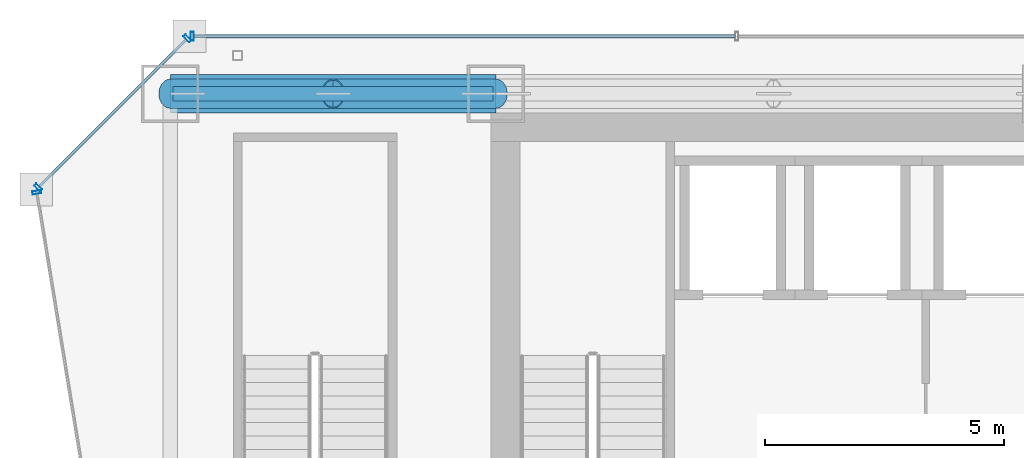
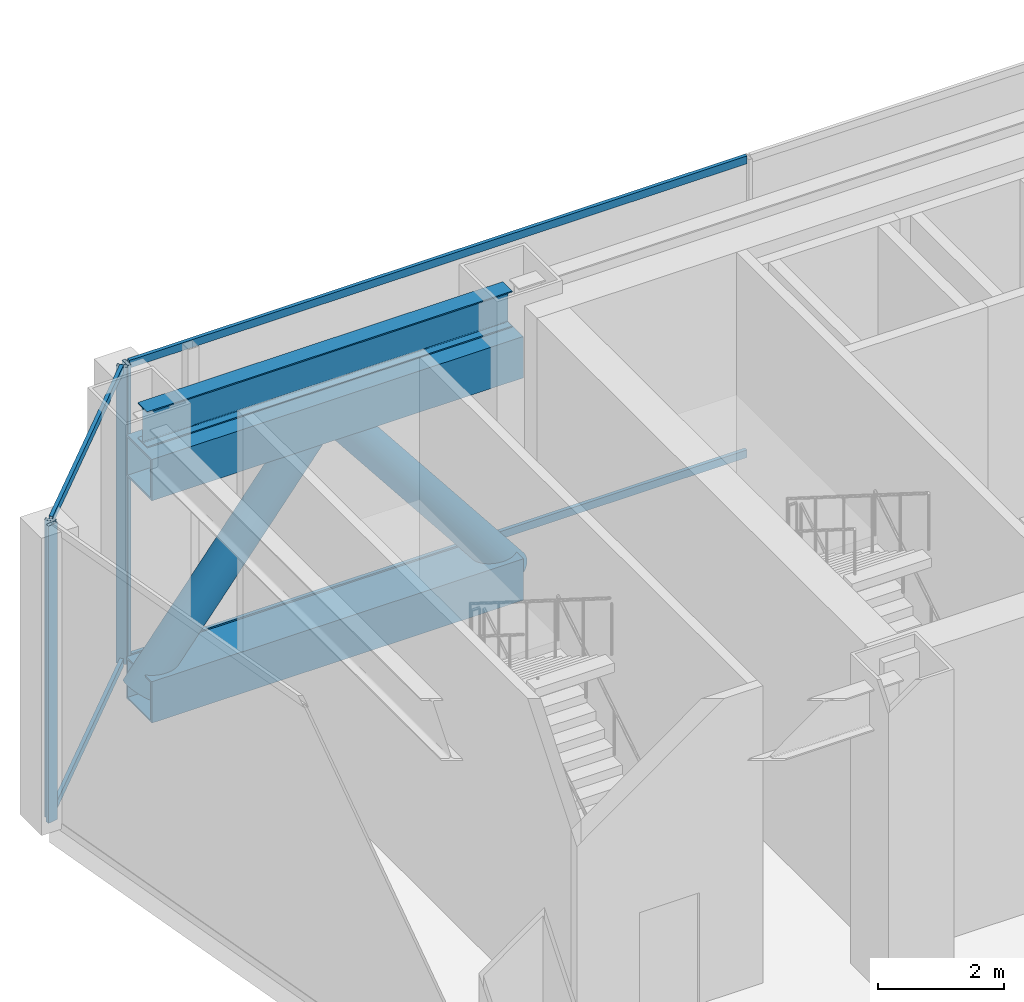
# One storey, part 20 of 35: 12 members, 1 beam, 3 elements without a shape of their own.
"""IFC4 building model written with IfcOpenShell, lengths in metres."""

import ifcopenshell
import ifcopenshell.guid

model = None  # the IFC model being written
_history = None  # IfcOwnerHistory: only IFC2X3 demands one
_inside = {}  # id of a spatial element -> (the spatial element, [elements in it])
_under = {}  # id of a project, library or spatial element -> (it, [spatial elements below it])
_declared = {}  # id of a project -> (the project, [libraries it declares])
_typed = {}  # id of a type object -> (the type object, [elements of that type])
_made_of = {}  # id of a material, layer set ... -> (it, [elements and type objects made of it])


def new_model(schema):
    """Start an empty IFC model of exactly this schema.

    Asked for "IFC4X3", IfcOpenShell would pick the latest addendum, in which some entities
    have other attributes; the version numbers below select the first issue.
    IFC2X3 requires an IfcOwnerHistory on every rooted entity: one is made here for all.
    """
    global model, _history
    if schema == "IFC4X3":
        model = ifcopenshell.file(schema_version=(4, 3, 0, 0))
    else:
        model = ifcopenshell.file(schema=schema)
    _inside.clear()
    _under.clear()
    _declared.clear()
    _typed.clear()
    _made_of.clear()
    _history = None
    if model.schema == "IFC2X3":
        org = make("IfcOrganization", Name="unknown")
        user = make(
            "IfcPersonAndOrganization",
            ThePerson=make("IfcPerson", FamilyName="unknown"),
            TheOrganization=org,
        )
        app = make(
            "IfcApplication",
            ApplicationDeveloper=org,
            Version="unknown",
            ApplicationFullName="unknown",
            ApplicationIdentifier="unknown",
        )
        _history = make(
            "IfcOwnerHistory",
            OwningUser=user,
            OwningApplication=app,
            ChangeAction="ADDED",
            CreationDate=0,
        )
    return model


def make(cls, **values):
    """One entity of the class cls with the attributes given. An attribute that is None is left unset."""
    return model.create_entity(
        cls, **{name: value for name, value in values.items() if value is not None}
    )


def rooted(cls, **values):
    """An entity with a GlobalId (a new one), such as an element, a storey or a relation."""
    return make(cls, GlobalId=ifcopenshell.guid.new(), OwnerHistory=_history, **values)


def si_unit(unit_type, name, prefix=None):
    """IfcSIUnit, for example si_unit("LENGTHUNIT", "METRE", prefix="MILLI")."""
    return make("IfcSIUnit", UnitType=unit_type, Prefix=prefix, Name=name)


def assignment(units):
    """IfcUnitAssignment: the units of a project."""
    return None if units is None else make("IfcUnitAssignment", Units=units)


def point(xyz):
    """IfcCartesianPoint."""
    return None if xyz is None else make("IfcCartesianPoint", Coordinates=xyz)


def direction(xyz):
    """IfcDirection."""
    return None if xyz is None else make("IfcDirection", DirectionRatios=xyz)


def frame(location, z_axis=None, x_axis=None):
    """IfcAxis2Placement3D, a coordinate frame: its origin and axes. An axis left out is left unset."""
    return make(
        "IfcAxis2Placement3D",
        Location=point(location),
        Axis=direction(z_axis),
        RefDirection=direction(x_axis),
    )


def frame_2d(location, x_axis=None):
    """IfcAxis2Placement2D, a coordinate frame in the plane: its origin and x axis."""
    return make(
        "IfcAxis2Placement2D", Location=point(location), RefDirection=direction(x_axis)
    )


def origin():
    """The frame at (0, 0, 0) with its axes left unset."""
    return frame((0.0, 0.0, 0.0))


def origin_2d():
    """The frame at (0, 0) in the plane with its x axis left unset."""
    return frame_2d((0.0, 0.0))


def place(relative_to, where):
    """IfcLocalPlacement: puts the frame where relative to a parent placement (None: the world)."""
    return make(
        "IfcLocalPlacement", PlacementRelTo=relative_to, RelativePlacement=where
    )


def context(
    kind, dimensions, precision=None, world=None, true_north=None, identifier=None
):
    """IfcGeometricRepresentationContext, for example the 3D "Model" context."""
    return make(
        "IfcGeometricRepresentationContext",
        ContextIdentifier=identifier,
        ContextType=kind,
        CoordinateSpaceDimension=dimensions,
        Precision=precision,
        WorldCoordinateSystem=world,
        TrueNorth=true_north,
    )


def subcontext(parent, identifier, kind, view, scale=None):
    """IfcGeometricRepresentationSubContext, for example "Body" below "Model"."""
    return make(
        "IfcGeometricRepresentationSubContext",
        ContextIdentifier=identifier,
        ContextType=kind,
        ParentContext=parent,
        TargetScale=scale,
        TargetView=view,
    )


def project(units=None, contexts=None):
    """IfcProject with its units and contexts."""
    return rooted(
        "IfcProject",
        Name="project",
        RepresentationContexts=contexts,
        UnitsInContext=assignment(units),
    )


def spatial(cls, under=None, at=None, **own):
    """A site, building, storey or space (cls), placed at a placement, below another one or the project."""
    s = rooted(cls, ObjectPlacement=at, **own)
    if under is not None:
        _under.setdefault(under.id(), (under, []))[1].append(s)
    return s


def profile(cls, at=None, kind="AREA", **sizes):
    """A parametric profile (cls). Its sizes go by their IFC names, for example OverallWidth=200.0."""
    return make(cls, ProfileType=kind, Position=at, **sizes)


def hollow_rectangle(**sizes):
    """IfcRectangleHollowProfileDef."""
    return profile("IfcRectangleHollowProfileDef", **sizes)


def hollow_circle(**sizes):
    """IfcCircleHollowProfileDef."""
    return profile("IfcCircleHollowProfileDef", **sizes)


def i_section(**sizes):
    """IfcIShapeProfileDef."""
    return profile("IfcIShapeProfileDef", **sizes)


def extrude(swept, where, along, depth):
    """IfcExtrudedAreaSolid: the profile swept, set in the frame where, extruded along a direction by depth."""
    return make(
        "IfcExtrudedAreaSolid",
        SweptArea=swept,
        Position=where,
        ExtrudedDirection=direction(along),
        Depth=depth,
    )


def shape(context_of_items, identifier, shape_type, items):
    """IfcShapeRepresentation: the items that make up one representation, for example the "Body"."""
    return make(
        "IfcShapeRepresentation",
        ContextOfItems=context_of_items,
        RepresentationIdentifier=identifier,
        RepresentationType=shape_type,
        Items=items,
    )


def material(Name=None, Category=None):
    """IfcMaterial."""
    return make("IfcMaterial", Name=Name, Category=Category)


def material_profile(
    of_material, cross_section, Name=None, Category=None, Priority=None
):
    """IfcMaterialProfile: a cross section and its material."""
    return make(
        "IfcMaterialProfile",
        Name=Name,
        Material=of_material,
        Profile=cross_section,
        Priority=Priority,
        Category=Category,
    )


def profile_set(profiles, Name=None, composite=None):
    """IfcMaterialProfileSet."""
    return make(
        "IfcMaterialProfileSet",
        Name=Name,
        MaterialProfiles=profiles,
        CompositeProfile=composite,
    )


def made_of(thing, what):
    """Note that an element or type object is made of a material, layer set ...; save() writes the relation."""
    if what is not None:
        _made_of.setdefault(what.id(), (what, []))[1].append(thing)
    return thing


def type_object(cls, material=None, **own):
    """A type object (cls), such as IfcWallType, which elements share."""
    return made_of(rooted(cls, **own), material)


def element(
    cls,
    number,
    at=None,
    inside=None,
    cuts=None,
    type_object=None,
    material=None,
    context=None,
    identifier="Body",
    shape_type=None,
    held_by="IfcProductDefinitionShape",
    body=None,
    shapes=None,
    **own,
):
    """One element of the class cls, such as IfcWall. Its Tag is "e" and its number.

    at: its placement. inside: the storey or other place that contains it. cuts: it is an
    opening in that element (IfcRelVoidsElement). A single representation is given by context,
    identifier, shape_type and body (its items); several are given by shapes. held_by: the class
    of the entity that holds the representations. save() writes the other relations.
    """
    e = rooted(cls, Tag="e%d" % number, ObjectPlacement=at, **own)
    if body is not None:
        shapes = [shape(context, identifier, shape_type, body)]
    if shapes is not None:
        e.Representation = make(held_by, Representations=shapes)
    if inside is not None:
        _inside.setdefault(inside.id(), (inside, []))[1].append(e)
    if cuts is not None:
        rooted(
            "IfcRelVoidsElement", RelatingBuildingElement=cuts, RelatedOpeningElement=e
        )
    if type_object is not None:
        _typed.setdefault(type_object.id(), (type_object, []))[1].append(e)
    return made_of(e, material)


def aggregate(whole, parts):
    """IfcRelAggregates: a whole, such as a stair, and the parts it consists of."""
    return rooted("IfcRelAggregates", RelatingObject=whole, RelatedObjects=parts)


def save(model, path):
    """Write the relations noted so far, then the file.

    IfcRelAggregates (storeys below a building ...), IfcRelContainedInSpatialStructure (elements
    in a storey), IfcRelDefinesByType, IfcRelAssociatesMaterial and IfcRelDeclares: one each for
    every whole, place, type object, material and project.
    """
    for whole, parts in _under.values():
        aggregate(whole, parts)
    for where, things in _inside.values():
        rooted(
            "IfcRelContainedInSpatialStructure",
            RelatedElements=things,
            RelatingStructure=where,
        )
    for kind, things in _typed.values():
        rooted("IfcRelDefinesByType", RelatedObjects=things, RelatingType=kind)
    for what, things in _made_of.values():
        rooted("IfcRelAssociatesMaterial", RelatedObjects=things, RelatingMaterial=what)
    for by, libraries in _declared.values():
        rooted("IfcRelDeclares", RelatingContext=by, RelatedDefinitions=libraries)
    model.write(path)


model = new_model("IFC4")

# Units and contexts
model_context = context("Model", 3, precision=1e-05, world=origin(), true_north=direction((0.0, 1.0)))
body_context = subcontext(model_context, "Body", "Model", "MODEL_VIEW")
ifc_project = project(units=[si_unit("LENGTHUNIT", "METRE"), si_unit("AREAUNIT", "SQUARE_METRE"), si_unit("VOLUMEUNIT", "CUBIC_METRE"), si_unit("PLANEANGLEUNIT", "RADIAN"), si_unit("MASSUNIT", "GRAM", prefix="KILO")], contexts=[model_context])

# Site, building, storey
site_placement = place(None, origin())
site = spatial("IfcSite", under=ifc_project, at=site_placement, CompositionType="ELEMENT")
building_placement = place(site_placement, origin())
building = spatial("IfcBuilding", under=site, at=building_placement, Name="Saevonmaru Cultural Tower", CompositionType="ELEMENT")
storey_placement = place(building_placement, frame((0.0, 0.0, 86.800048828125)))
storey = spatial("IfcBuildingStorey", under=building, at=storey_placement, Name="L18", CompositionType="ELEMENT", Elevation=86.800048828125)

# Beam
ifc_material_1 = material(Name="Steel SM355", Category="steel")
ifc_material_profile_1 = material_profile(ifc_material_1, i_section(OverallWidth=0.300048828125, OverallDepth=0.699951171875, WebThickness=0.012939453125, FlangeThickness=0.02392578125, FilletRadius=0.02587890625, at=origin_2d()), Name="H-700x300x13x24")
ifc_profile_set_1 = profile_set([ifc_material_profile_1], Name="Steel SM355")
beam_type = type_object("IfcBeamType", Name="BM-SP-H700", PredefinedType="SPANDREL", material=ifc_profile_set_1)
beam_placement = place(storey_placement, frame((6.860107421875, 54.800048828125, 5.39990234375), z_axis=(1.0, 0.0, 0.0), x_axis=(0.0, 1.0, 0.0)))
element("IfcBeam", 1, at=beam_placement, inside=storey, type_object=beam_type, Name="L18 North Spine Girder 1", PredefinedType="SPANDREL", context=body_context, shape_type="SweptSolid", body=[
    extrude(i_section(OverallWidth=0.300048828125, OverallDepth=0.699951171875, WebThickness=0.012939453125, FlangeThickness=0.02392578125, FilletRadius=0.02587890625, at=origin_2d()), origin(), (0.0, 0.0, 1.0), 6.679931640625),
])

# Members
ifc_material_2 = material(Name="Steel HSA600 (600 MPa)", Category="steel")
ifc_material_profile_2 = material_profile(ifc_material_2, hollow_circle(Radius=0.3046875, WallThickness=0.02490234375, at=origin_2d()), Name="CHS-609.6x25")
ifc_profile_set_2 = profile_set([ifc_material_profile_2], Name="Steel HSA600 (600 MPa)")
member_type_1 = type_object("IfcMemberType", Name="MB-OBR-CHS610", PredefinedType="BRACE", material=ifc_profile_set_2)
for number, where, z_axis, x_axis, name in (
    (2, (6.800048828125, 54.800048828125, 0.300048828125), (0.62024195723, 0.0, 0.784410552257), (0.0, 1.0, 0.0), "L18 Outrigger Truss Diagonal OW2-1"),
    (3, (13.60009765625, 54.800048828125, 0.300048828125), (-0.620269360577, 0.0, 0.784388883354), (0.0, -1.0, 0.0), "L18 Outrigger Truss Diagonal OW2-2"),
):
    element("IfcMember", number, at=place(storey_placement, frame(where, z_axis=z_axis, x_axis=x_axis)), inside=storey, type_object=member_type_1, Name=name, PredefinedType="BRACE", context=body_context, shape_type="SweptSolid", body=[
        extrude(hollow_circle(Radius=0.3046875, WallThickness=0.02490234375, at=origin_2d()), origin(), (0.0, 0.0, 1.0), 5.481689453125),
    ])
ifc_material_profile_3 = material_profile(ifc_material_2, hollow_rectangle(XDim=0.800048828125, YDim=0.800048828125, WallThickness=0.035888671875, at=origin_2d()), Name="BOX-800x800x36")
ifc_profile_set_3 = profile_set([ifc_material_profile_3], Name="Steel HSA600 (600 MPa)")
member_type_2 = type_object("IfcMemberType", Name="MB-OCH-BOX800", PredefinedType="CHORD", material=ifc_profile_set_3)
for number, where, z_axis, x_axis, name in (
    (4, (6.800048828125, 54.800048828125, 0.300048828125), (1.0, 0.0, 0.0), (0.0, 1.0, 0.0), "L18 Outrigger Truss Bottom Chord OW2"),
    (5, (6.800048828125, 54.800048828125, 4.599853515625), (1.0, 0.0, 0.0), (0.0, 1.0, 0.0), "L18 Outrigger Truss Top Chord OW2"),
):
    element("IfcMember", number, at=place(storey_placement, frame(where, z_axis=z_axis, x_axis=x_axis)), inside=storey, type_object=member_type_2, Name=name, PredefinedType="CHORD", context=body_context, shape_type="SweptSolid", body=[
        extrude(hollow_rectangle(XDim=0.800048828125, YDim=0.800048828125, WallThickness=0.035888671875, at=origin_2d()), origin(), (0.0, 0.0, 1.0), 6.800048828125),
    ])

# Curtain wall, member
ifc_material_3 = material(Name="Satin Bronze Anodised Aluminium", Category="aluminium")
curtain_wall_type = type_object("IfcCurtainWallType", Name="CW-TYP-A", PredefinedType="NOTDEFINED", material=ifc_material_3)
curtain_wall_1_placement = place(storey_placement, origin())
curtain_wall_1 = element("IfcCurtainWall", 6, at=curtain_wall_1_placement, inside=storey, type_object=curtain_wall_type, Name="L18 Wind-Floor Acoustic Louvre Screen E10", PredefinedType="NOTDEFINED")
ifc_material_profile_4 = material_profile(ifc_material_3, hollow_rectangle(XDim=0.06494140625, YDim=0.179931640625, WallThickness=0.00390625, at=origin_2d()), Name="ALU-MULL-180x65x4")
ifc_profile_set_4 = profile_set([ifc_material_profile_4], Name="Satin Bronze Anodised Aluminium")
member_type_3 = type_object("IfcMemberType", Name="ML-CW-180x65", PredefinedType="MULLION", material=ifc_profile_set_4)
member_1_placement = place(storey_placement, frame((7.260009765625, 56.0, 0.0), z_axis=(0.0, 0.0, 1.0), x_axis=(-1.0, 0.0, 0.0)))
member_1 = element("IfcMember", 7, at=member_1_placement, type_object=member_type_3, Name="CW-TW-L18-E10 mullion 5", PredefinedType="MULLION", context=body_context, shape_type="SweptSolid", body=[
    extrude(hollow_rectangle(XDim=0.06494140625, YDim=0.179931640625, WallThickness=0.00390625, at=origin_2d()), origin(), (0.0, 0.0, 1.0), 5.75),
])

# Curtain wall, members
curtain_wall_2_placement = place(storey_placement, origin())
curtain_wall_2 = element("IfcCurtainWall", 8, at=curtain_wall_2_placement, inside=storey, type_object=curtain_wall_type, Name="L18 Wind-Floor Acoustic Louvre Screen E11", PredefinedType="NOTDEFINED")
member_2_placement = place(storey_placement, frame((7.15771484375, 55.95751953125, 0.0), z_axis=(0.0, 0.0, 1.0), x_axis=(-0.707106781187, -0.707106781187, 0.0)))
member_2 = element("IfcMember", 9, at=member_2_placement, type_object=member_type_3, Name="CW-TW-L18-E11 mullion 1", PredefinedType="MULLION", context=body_context, shape_type="SweptSolid", body=[
    extrude(hollow_rectangle(XDim=0.06494140625, YDim=0.179931640625, WallThickness=0.00390625, at=origin_2d()), origin(), (0.0, 0.0, 1.0), 5.75),
])
member_3_placement = place(storey_placement, frame((4.04248046875, 52.84228515625, 0.0), z_axis=(0.0, 0.0, 1.0), x_axis=(-0.707106781187, -0.707106781187, 0.0)))
member_3 = element("IfcMember", 10, at=member_3_placement, type_object=member_type_3, Name="CW-TW-L18-E11 mullion 2", PredefinedType="MULLION", context=body_context, shape_type="SweptSolid", body=[
    extrude(hollow_rectangle(XDim=0.06494140625, YDim=0.179931640625, WallThickness=0.00390625, at=origin_2d()), origin(), (0.0, 0.0, 1.0), 5.75),
])

# Curtain wall, member
curtain_wall_3_placement = place(storey_placement, origin())
curtain_wall_3 = element("IfcCurtainWall", 11, at=curtain_wall_3_placement, inside=storey, type_object=curtain_wall_type, Name="L18 Wind-Floor Acoustic Louvre Screen E12", PredefinedType="NOTDEFINED")
member_4_placement = place(storey_placement, frame((4.009765625, 52.74072265625, 0.0), z_axis=(0.0, 0.0, 1.0), x_axis=(0.161708868641, -0.986838508472, 0.0)))
member_4 = element("IfcMember", 12, at=member_4_placement, type_object=member_type_3, Name="CW-TW-L18-E12 mullion 1", PredefinedType="MULLION", context=body_context, shape_type="SweptSolid", body=[
    extrude(hollow_rectangle(XDim=0.06494140625, YDim=0.179931640625, WallThickness=0.00390625, at=origin_2d()), origin(), (0.0, 0.0, 1.0), 5.75),
])
aggregate(curtain_wall_3, [member_4])

# Member
ifc_material_profile_5 = material_profile(ifc_material_3, hollow_rectangle(XDim=0.06494140625, YDim=0.14990234375, WallThickness=0.00390625, at=origin_2d()), Name="ALU-TRAN-150x65x4")
ifc_profile_set_5 = profile_set([ifc_material_profile_5], Name="Satin Bronze Anodised Aluminium")
member_type_4 = type_object("IfcMemberType", Name="TR-CW-150x65", PredefinedType="USERDEFINED", material=ifc_profile_set_5)
member_5_placement = place(storey_placement, frame((18.597412109375, 56.0, 0.032470703125), z_axis=(-1.0, 0.0, 0.0), x_axis=(0.0, -1.0, 0.0)))
member_5 = element("IfcMember", 13, at=member_5_placement, type_object=member_type_4, Name="CW-TW-L18-E10 transom 4.1", ObjectType="TRANSOM", PredefinedType="USERDEFINED", context=body_context, shape_type="SweptSolid", body=[
    extrude(hollow_rectangle(XDim=0.06494140625, YDim=0.14990234375, WallThickness=0.00390625, at=origin_2d()), origin(), (0.0, 0.0, 1.0), 11.304931640625),
])

member_6_placement = place(storey_placement, frame((18.597412109375, 56.0, 5.717529296875), z_axis=(-1.0, 0.0, 0.0), x_axis=(0.0, -1.0, 0.0)))
member_6 = element("IfcMember", 14, at=member_6_placement, type_object=member_type_4, Name="CW-TW-L18-E10 transom 4.2", ObjectType="TRANSOM", PredefinedType="USERDEFINED", context=body_context, shape_type="SweptSolid", body=[
    extrude(hollow_rectangle(XDim=0.06494140625, YDim=0.14990234375, WallThickness=0.00390625, at=origin_2d()), origin(), (0.0, 0.0, 1.0), 11.304931640625),
])

aggregate(curtain_wall_1, [member_1, member_5, member_6])

member_7_placement = place(storey_placement, frame((7.134521484375, 55.9345703125, 0.032470703125), z_axis=(-0.707106781187, -0.707106781187, 0.0), x_axis=(0.707106781187, -0.707106781187, 0.0)))
member_7 = element("IfcMember", 15, at=member_7_placement, type_object=member_type_4, Name="CW-TW-L18-E11 transom 1.1", ObjectType="TRANSOM", PredefinedType="USERDEFINED", context=body_context, shape_type="SweptSolid", body=[
    extrude(hollow_rectangle(XDim=0.06494140625, YDim=0.14990234375, WallThickness=0.00390625, at=origin_2d()), origin(), (0.0, 0.0, 1.0), 4.34033203125),
])

member_8_placement = place(storey_placement, frame((7.134521484375, 55.9345703125, 5.717529296875), z_axis=(-0.707106781187, -0.707106781187, 0.0), x_axis=(0.707106781187, -0.707106781187, 0.0)))
member_8 = element("IfcMember", 16, at=member_8_placement, type_object=member_type_4, Name="CW-TW-L18-E11 transom 1.2", ObjectType="TRANSOM", PredefinedType="USERDEFINED", context=body_context, shape_type="SweptSolid", body=[
    extrude(hollow_rectangle(XDim=0.06494140625, YDim=0.14990234375, WallThickness=0.00390625, at=origin_2d()), origin(), (0.0, 0.0, 1.0), 4.34033203125),
])

aggregate(curtain_wall_2, [member_2, member_3, member_7, member_8])

save(model, "model.ifc")
